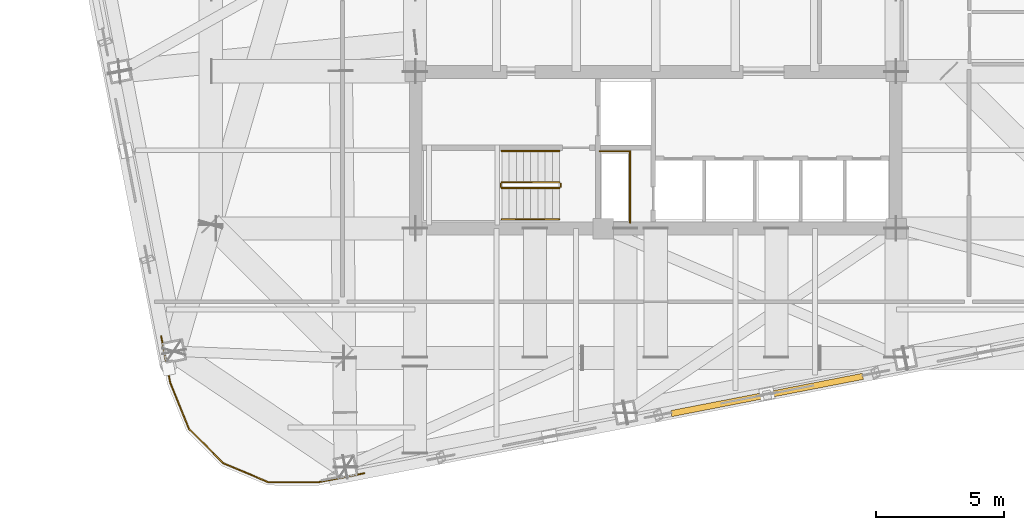
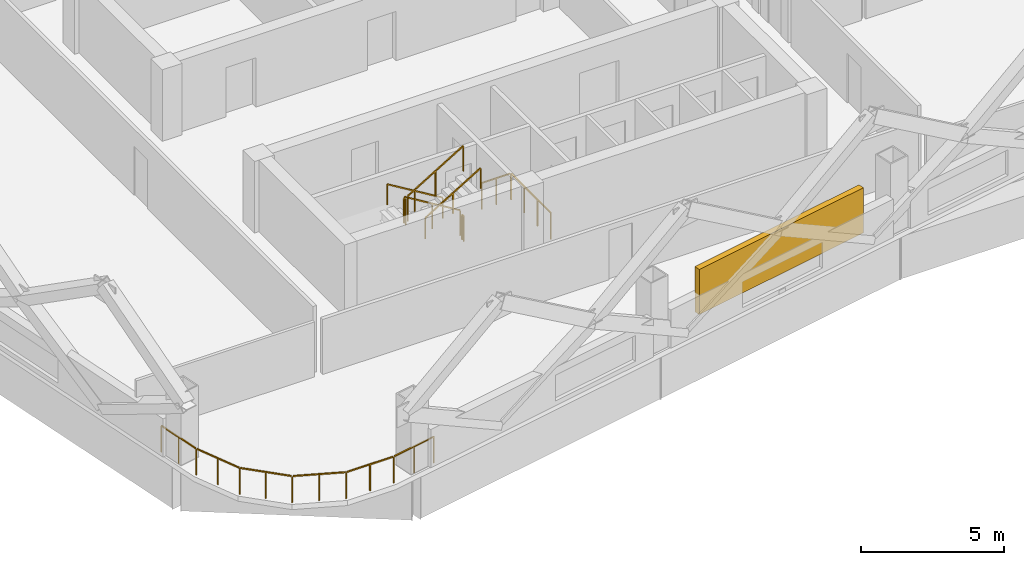
# One storey, part 12 of 14: 8 railings, 1 shading device.
"""IFC4 building model written with IfcOpenShell, lengths in metres."""

from ifc_helpers import new_model, si_unit, direction, frame, origin, origin_2d, place, context, subcontext, project, spatial, rectangle, extrude, material, type_object, element, save


model = new_model("IFC4")

# Units and contexts
model_context = context("Model", 3, precision=1e-05, world=origin(), true_north=direction((0.0, 1.0)))
body_context = subcontext(model_context, "Body", "Model", "MODEL_VIEW")
ifc_project = project(units=[si_unit("LENGTHUNIT", "METRE"), si_unit("AREAUNIT", "SQUARE_METRE"), si_unit("VOLUMEUNIT", "CUBIC_METRE"), si_unit("PLANEANGLEUNIT", "RADIAN"), si_unit("MASSUNIT", "GRAM", prefix="KILO")], contexts=[model_context])

# Site, building, storey
site_placement = place(None, origin())
site = spatial("IfcSite", under=ifc_project, at=site_placement, CompositionType="ELEMENT")
building_placement = place(site_placement, origin())
building = spatial("IfcBuilding", under=site, at=building_placement, Name="Qhalaya Broadcast Tower", CompositionType="ELEMENT")
storey_placement = place(building_placement, frame((0.0, 0.0, 112.800048828125)))
storey = spatial("IfcBuildingStorey", under=building, at=storey_placement, Name="L32", CompositionType="ELEMENT", Elevation=112.800048828125)

# Railings
ifc_material_1 = material(Name="Powder-Coated Galvanised Steel", Category="steel")
railing_type_1 = type_object("IfcRailingType", Name="Stair Wall Handrail 900", PredefinedType="HANDRAIL", material=ifc_material_1)
railing_1_placement = place(storey_placement, frame((-3.75, -5.72998046875, 0.16943359375)))
element("IfcRailing", 1, at=railing_1_placement, inside=storey, type_object=railing_type_1, Name="L32 ST-2 Stair Handrail 1", PredefinedType="HANDRAIL", context=body_context, shape_type="SweptSolid", body=[
    extrude(rectangle(XDim=0.048095703125, YDim=0.048095703125, at=origin_2d()), frame((0.0, 0.0, 0.8759765625), z_axis=(-0.855553338991, 0.0, 0.51771467445), x_axis=(0.0, -1.0, 0.0)), (0.0, 0.0, 1.0), 2.6181640625),
    extrude(rectangle(XDim=0.0419921875, YDim=0.0419921875, at=origin_2d()), origin(), (0.0, 0.0, 1.0), 0.849853515625),
    extrude(rectangle(XDim=0.0419921875, YDim=0.0419921875, at=origin_2d()), frame((-1.1201171875, 0.0, 0.677734375)), (0.0, 0.0, 1.0), 0.849853515625),
    extrude(rectangle(XDim=0.0419921875, YDim=0.0419921875, at=origin_2d()), frame((-2.239990234375, 0.0, 1.35546875)), (0.0, 0.0, 1.0), 0.849853515625),
])
railing_2_placement = place(storey_placement, frame((-5.989990234375, -8.389892578125, 1.6943359375)))
element("IfcRailing", 2, at=railing_2_placement, inside=storey, type_object=railing_type_1, Name="L32 ST-2 Stair Handrail 2", PredefinedType="HANDRAIL", context=body_context, shape_type="SweptSolid", body=[
    extrude(rectangle(XDim=0.048095703125, YDim=0.048095703125, at=origin_2d()), frame((0.0, 0.0, 0.8759765625), z_axis=(0.855512035549, 0.0, 0.517782924622), x_axis=(0.0, 1.0, 0.0)), (0.0, 0.0, 1.0), 2.618408203125),
    extrude(rectangle(XDim=0.0419921875, YDim=0.0419921875, at=origin_2d()), origin(), (0.0, 0.0, 1.0), 0.849853515625),
    extrude(rectangle(XDim=0.0419921875, YDim=0.0419921875, at=origin_2d()), frame((1.1201171875, 0.0, 0.677734375)), (0.0, 0.0, 1.0), 0.849853515625),
    extrude(rectangle(XDim=0.0419921875, YDim=0.0419921875, at=origin_2d()), frame((2.239990234375, 0.0, 1.355712890625)), (0.0, 0.0, 1.0), 0.849853515625),
])
railing_type_2 = type_object("IfcRailingType", Name="Stair Well & Landing Guardrail 1100", PredefinedType="GUARDRAIL", material=ifc_material_1)
railing_3_placement = place(storey_placement, frame((-1.0, -8.52001953125, 0.0)))
element("IfcRailing", 3, at=railing_3_placement, inside=storey, type_object=railing_type_2, Name="L32 Service Riser Opening Safety Guard SRSR", PredefinedType="GUARDRAIL", context=body_context, shape_type="SweptSolid", body=[
    extrude(rectangle(XDim=0.048095703125, YDim=0.048095703125, at=origin_2d()), frame((0.0, 0.0, 1.1259765625), z_axis=(0.0, 1.0, 0.0), x_axis=(-1.0, 0.0, 0.0)), (0.0, 0.0, 1.0), 2.751220703125),
    extrude(rectangle(XDim=0.048095703125, YDim=0.048095703125, at=origin_2d()), frame((-0.02880859375, 2.780029296875, 1.1259765625), z_axis=(-1.0, 0.0, 0.0), x_axis=(0.0, -1.0, 0.0)), (0.0, 0.0, 1.0), 1.151123046875),
    extrude(rectangle(XDim=0.0419921875, YDim=0.0419921875, at=origin_2d()), origin(), (0.0, 0.0, 1.0), 1.099853515625),
    extrude(rectangle(XDim=0.0419921875, YDim=0.0419921875, at=origin_2d()), frame((0.0, 0.9267578125, 0.0)), (0.0, 0.0, 1.0), 1.099853515625),
    extrude(rectangle(XDim=0.0419921875, YDim=0.0419921875, at=origin_2d()), frame((0.0, 1.853271484375, 0.0)), (0.0, 0.0, 1.0), 1.099853515625),
    extrude(rectangle(XDim=0.0419921875, YDim=0.0419921875, at=origin_2d()), frame((0.0, 2.780029296875, 0.0)), (0.0, 0.0, 1.0), 1.099853515625),
    extrude(rectangle(XDim=0.0419921875, YDim=0.0419921875, at=origin_2d()), frame((-0.58984375, 2.780029296875, 0.0)), (0.0, 0.0, 1.0), 1.099853515625),
    extrude(rectangle(XDim=0.0419921875, YDim=0.0419921875, at=origin_2d()), frame((-1.179931640625, 2.780029296875, 0.0)), (0.0, 0.0, 1.0), 1.099853515625),
])
railing_4_placement = place(storey_placement, frame((-3.75, -6.949951171875, 0.16943359375)))
element("IfcRailing", 4, at=railing_4_placement, inside=storey, type_object=railing_type_2, Name="L32 ST-2 Stair Guard 1", PredefinedType="GUARDRAIL", context=body_context, shape_type="SweptSolid", body=[
    extrude(rectangle(XDim=0.048095703125, YDim=0.048095703125, at=origin_2d()), frame((0.0, 0.0, 1.076171875), z_axis=(-0.855553338991, 0.0, 0.51771467445), x_axis=(0.0, -1.0, 0.0)), (0.0, 0.0, 1.0), 2.6181640625),
    extrude(rectangle(XDim=0.0419921875, YDim=0.0419921875, at=origin_2d()), origin(), (0.0, 0.0, 1.0), 1.050048828125),
    extrude(rectangle(XDim=0.0419921875, YDim=0.0419921875, at=origin_2d()), frame((-1.1201171875, 0.0, 0.677734375)), (0.0, 0.0, 1.0), 1.050048828125),
    extrude(rectangle(XDim=0.0419921875, YDim=0.0419921875, at=origin_2d()), frame((-2.239990234375, 0.0, 1.35546875)), (0.0, 0.0, 1.0), 1.050048828125),
])
railing_5_placement = place(storey_placement, frame((-6.0400390625, -7.0, 1.52490234375)))
element("IfcRailing", 5, at=railing_5_placement, inside=storey, type_object=railing_type_2, Name="L32 ST-2 Stair Guard 2", PredefinedType="GUARDRAIL", context=body_context, shape_type="SweptSolid", body=[
    extrude(rectangle(XDim=0.048095703125, YDim=0.048095703125, at=origin_2d()), frame((0.0, 0.0, 1.076171875), z_axis=(0.0, -1.0, 0.0), x_axis=(1.0, 0.0, 0.0)), (0.0, 0.0, 1.0), 0.1201171875),
    extrude(rectangle(XDim=0.0419921875, YDim=0.0419921875, at=origin_2d()), origin(), (0.0, 0.0, 1.0), 1.050048828125),
    extrude(rectangle(XDim=0.0419921875, YDim=0.0419921875, at=origin_2d()), frame((0.0, -0.1201171875, 0.0)), (0.0, 0.0, 1.0), 1.050048828125),
])
railing_6_placement = place(storey_placement, frame((-5.989990234375, -7.169921875, 1.6943359375)))
element("IfcRailing", 6, at=railing_6_placement, inside=storey, type_object=railing_type_2, Name="L32 ST-2 Stair Guard 3", PredefinedType="GUARDRAIL", context=body_context, shape_type="SweptSolid", body=[
    extrude(rectangle(XDim=0.048095703125, YDim=0.048095703125, at=origin_2d()), frame((0.0, 0.0, 1.076171875), z_axis=(0.855512035549, 0.0, 0.517782924622), x_axis=(0.0, 1.0, 0.0)), (0.0, 0.0, 1.0), 2.618408203125),
    extrude(rectangle(XDim=0.0419921875, YDim=0.0419921875, at=origin_2d()), origin(), (0.0, 0.0, 1.0), 1.050048828125),
    extrude(rectangle(XDim=0.0419921875, YDim=0.0419921875, at=origin_2d()), frame((1.1201171875, 0.0, 0.677734375)), (0.0, 0.0, 1.0), 1.050048828125),
    extrude(rectangle(XDim=0.0419921875, YDim=0.0419921875, at=origin_2d()), frame((2.239990234375, 0.0, 1.355712890625)), (0.0, 0.0, 1.0), 1.050048828125),
])
railing_7_placement = place(storey_placement, frame((-3.699951171875, -7.0, 0.0)))
element("IfcRailing", 7, at=railing_7_placement, inside=storey, type_object=railing_type_2, Name="L32 ST-2 Stair Guard 4", PredefinedType="GUARDRAIL", context=body_context, shape_type="SweptSolid", body=[
    extrude(rectangle(XDim=0.048095703125, YDim=0.048095703125, at=origin_2d()), frame((0.0, 0.0, 1.076171875), z_axis=(0.0, -1.0, 0.0), x_axis=(1.0, 0.0, 0.0)), (0.0, 0.0, 1.0), 0.1201171875),
    extrude(rectangle(XDim=0.0419921875, YDim=0.0419921875, at=origin_2d()), origin(), (0.0, 0.0, 1.0), 1.050048828125),
    extrude(rectangle(XDim=0.0419921875, YDim=0.0419921875, at=origin_2d()), frame((0.0, -0.1201171875, 0.0)), (0.0, 0.0, 1.0), 1.050048828125),
])
railing_type_3 = type_object("IfcRailingType", Name="Terrace, Sky-Pool & Lookout Glass Balustrade 1150", PredefinedType="BALUSTRADE", material=ifc_material_1)
railing_8_placement = place(storey_placement, frame((-11.351318359375, -18.281982421875, 0.0)))
element("IfcRailing", 8, at=railing_8_placement, inside=storey, type_object=railing_type_3, Name="L32 Rounded Corner Perimeter Guard 02", PredefinedType="BALUSTRADE", context=body_context, shape_type="SweptSolid", body=[
    extrude(rectangle(XDim=0.048095703125, YDim=0.048095703125, at=origin_2d()), frame((0.0, 0.0, 1.1259765625), z_axis=(-0.981643446311, -0.190725311155, 0.0), x_axis=(0.190725311155, -0.981643446311, 0.0)), (0.0, 0.0, 1.0), 1.8271484375),
    extrude(rectangle(XDim=0.048095703125, YDim=0.048095703125, at=origin_2d()), frame((-1.850830078125, -0.353759765625, 1.1259765625), z_axis=(-0.999990606087, 0.004334482484, 0.0), x_axis=(-0.004334482484, -0.999990606087, 0.0)), (0.0, 0.0, 1.0), 1.857421875),
    extrude(rectangle(XDim=0.048095703125, YDim=0.048095703125, at=origin_2d()), frame((-3.763671875, -0.33447265625, 1.1259765625), z_axis=(-0.922247496545, 0.386599993684, 0.0), x_axis=(-0.386599993684, -0.922247496545, 0.0)), (0.0, 0.0, 1.0), 1.845703125),
    extrude(rectangle(XDim=0.048095703125, YDim=0.048095703125, at=origin_2d()), frame((-5.5126953125, 0.41064453125, 1.1259765625), z_axis=(-0.704021268228, 0.710178888649, 0.0), x_axis=(-0.710178888649, -0.704021268228, 0.0)), (0.0, 0.0, 1.0), 1.845458984375),
    extrude(rectangle(XDim=0.048095703125, YDim=0.048095703125, at=origin_2d()), frame((-6.84326171875, 1.768310546875, 1.1259765625), z_axis=(-0.378588174109, 0.925565229698, 0.0), x_axis=(-0.925565229698, -0.378588174109, 0.0)), (0.0, 0.0, 1.0), 1.857666015625),
    extrude(rectangle(XDim=0.048095703125, YDim=0.048095703125, at=origin_2d()), frame((-7.56298828125, 3.542724609375, 1.1259765625), z_axis=(-0.190725311155, 0.981643446311, 0.0), x_axis=(-0.981643446311, -0.190725311155, 0.0)), (0.0, 0.0, 1.0), 1.8271484375),
    extrude(rectangle(XDim=0.0419921875, YDim=0.0419921875, at=origin_2d()), origin(), (0.0, 0.0, 1.0), 1.099853515625),
    extrude(rectangle(XDim=0.0419921875, YDim=0.0419921875, at=origin_2d()), frame((-0.9111328125, -0.177001953125, 0.0)), (0.0, 0.0, 1.0), 1.099853515625),
    extrude(rectangle(XDim=0.0419921875, YDim=0.0419921875, at=origin_2d()), frame((-1.822021484375, -0.35400390625, 0.0)), (0.0, 0.0, 1.0), 1.099853515625),
    extrude(rectangle(XDim=0.0419921875, YDim=0.0419921875, at=origin_2d()), frame((-2.779541015625, -0.349853515625, 0.0)), (0.0, 0.0, 1.0), 1.099853515625),
    extrude(rectangle(XDim=0.0419921875, YDim=0.0419921875, at=origin_2d()), frame((-3.737060546875, -0.345703125, 0.0)), (0.0, 0.0, 1.0), 1.099853515625),
    extrude(rectangle(XDim=0.0419921875, YDim=0.0419921875, at=origin_2d()), frame((-4.61474609375, 0.022216796875, 0.0)), (0.0, 0.0, 1.0), 1.099853515625),
    extrude(rectangle(XDim=0.0419921875, YDim=0.0419921875, at=origin_2d()), frame((-5.492431640625, 0.39013671875, 0.0)), (0.0, 0.0, 1.0), 1.099853515625),
    extrude(rectangle(XDim=0.0419921875, YDim=0.0419921875, at=origin_2d()), frame((-6.162353515625, 1.06591796875, 0.0)), (0.0, 0.0, 1.0), 1.099853515625),
    extrude(rectangle(XDim=0.0419921875, YDim=0.0419921875, at=origin_2d()), frame((-6.832275390625, 1.74169921875, 0.0)), (0.0, 0.0, 1.0), 1.099853515625),
    extrude(rectangle(XDim=0.0419921875, YDim=0.0419921875, at=origin_2d()), frame((-7.19482421875, 2.6279296875, 0.0)), (0.0, 0.0, 1.0), 1.099853515625),
    extrude(rectangle(XDim=0.0419921875, YDim=0.0419921875, at=origin_2d()), frame((-7.557373046875, 3.514404296875, 0.0)), (0.0, 0.0, 1.0), 1.099853515625),
    extrude(rectangle(XDim=0.0419921875, YDim=0.0419921875, at=origin_2d()), frame((-7.734375, 4.42529296875, 0.0)), (0.0, 0.0, 1.0), 1.099853515625),
    extrude(rectangle(XDim=0.0419921875, YDim=0.0419921875, at=origin_2d()), frame((-7.911376953125, 5.33642578125, 0.0)), (0.0, 0.0, 1.0), 1.099853515625),
])

# Shading device
ifc_material_2 = material(Name="Fired Architectural Terracotta", Category="masonry")
shading_device_type = type_object("IfcShadingDeviceType", Name="Terracotta Baguette Solar Screen Assembly TBS-01", PredefinedType="USERDEFINED", material=ifc_material_2)
shading_device_placement = place(storey_placement, frame((4.337158203125, -15.232421875, 0.79248046875), z_axis=(0.0, 0.0, 1.0), x_axis=(0.981627183448, 0.190808995377, 0.0)))
element("IfcShadingDevice", 9, at=shading_device_placement, inside=storey, type_object=shading_device_type, Name="L32 Fired Terracotta Baguette Screen S", ObjectType="BAGUETTE", PredefinedType="USERDEFINED", context=body_context, shape_type="SweptSolid", body=[
    extrude(rectangle(XDim=7.60009765625, YDim=0.239990234375, at=origin_2d()), origin(), (0.0, 0.0, 1.0), 1.924072265625),
])

save(model, "model.ifc")
